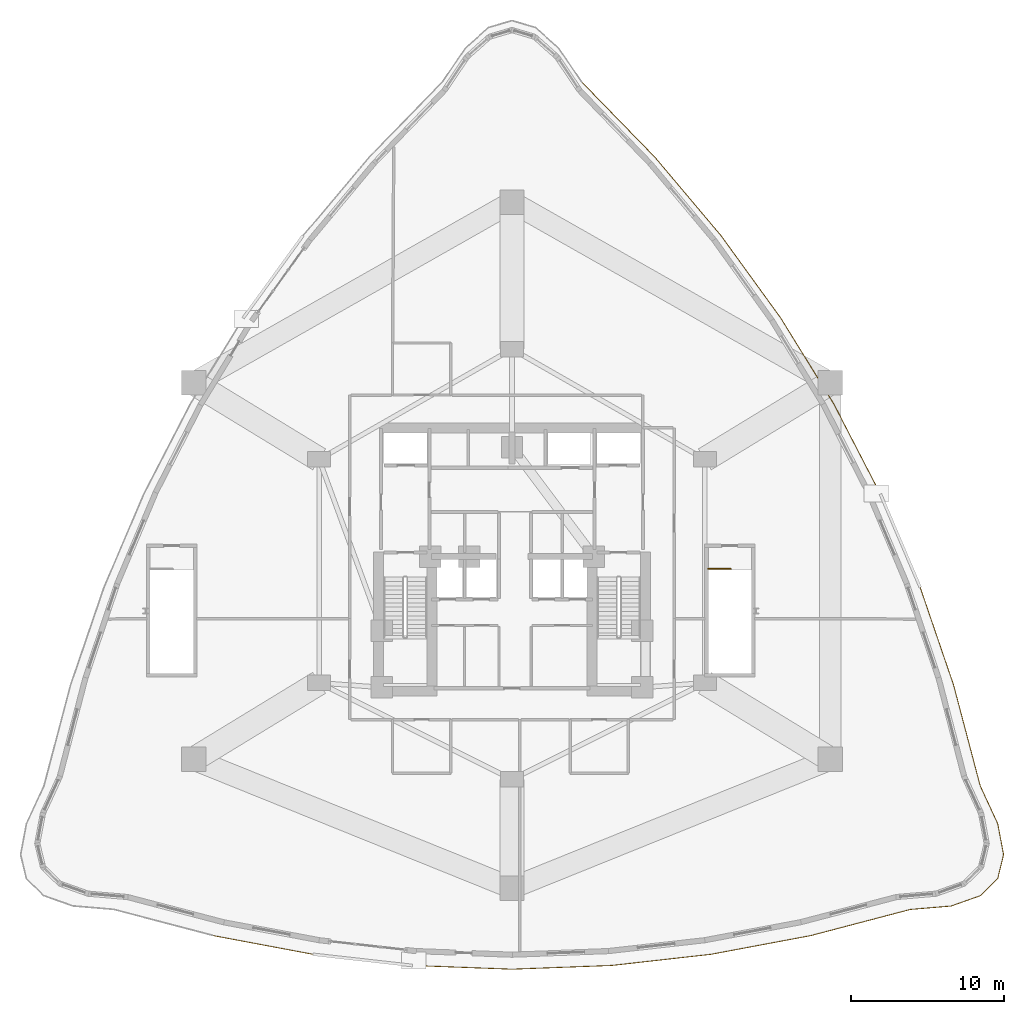
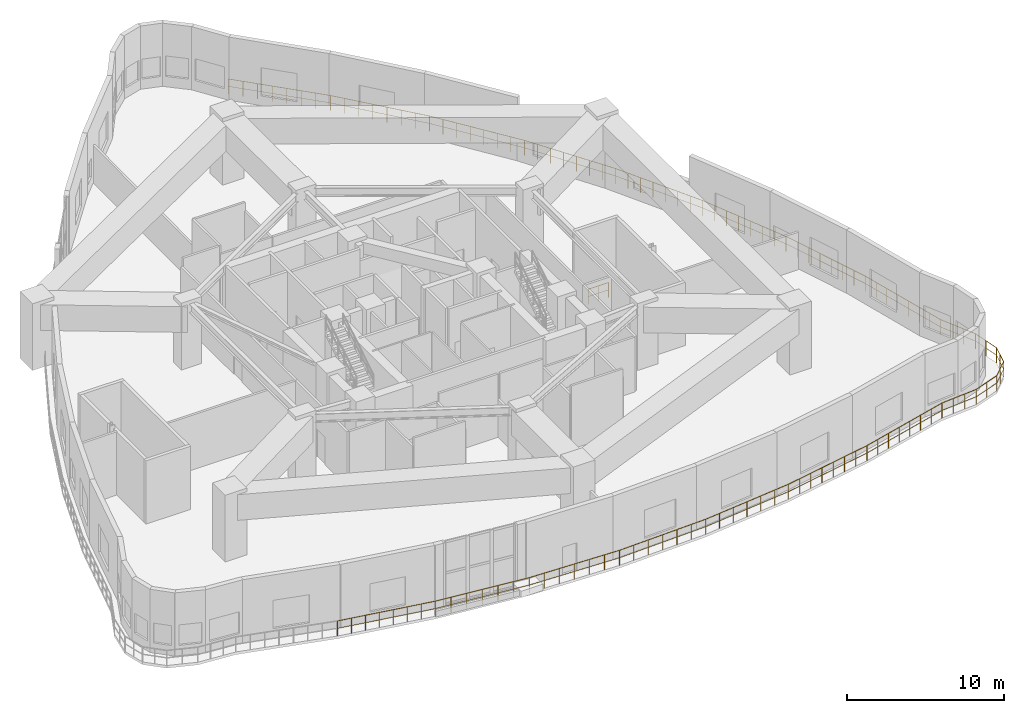
# One storey, part 19 of 19: 2 railings.
"""IFC4 building model written with IfcOpenShell, lengths in metres."""

from ifc_helpers import new_model, si_unit, direction, frame, origin, origin_2d, place, context, subcontext, project, spatial, circle, extrude, material, type_object, element, save


model = new_model("IFC4")

# Units and contexts
model_context = context("Model", 3, precision=1e-05, world=origin(), true_north=direction((0.0, 1.0)))
body_context = subcontext(model_context, "Body", "Model", "MODEL_VIEW")
ifc_project = project(units=[si_unit("LENGTHUNIT", "METRE"), si_unit("AREAUNIT", "SQUARE_METRE"), si_unit("VOLUMEUNIT", "CUBIC_METRE"), si_unit("PLANEANGLEUNIT", "RADIAN"), si_unit("MASSUNIT", "GRAM", prefix="KILO")], contexts=[model_context])

# Site, building, storey
site_placement = place(None, origin())
site = spatial("IfcSite", under=ifc_project, at=site_placement, CompositionType="ELEMENT")
building_placement = place(site_placement, origin())
building = spatial("IfcBuilding", under=site, at=building_placement, Name="Miruveldt Soraemaru", CompositionType="ELEMENT")
storey_placement = place(building_placement, frame((0.0, 0.0, 24.0)))
storey = spatial("IfcBuildingStorey", under=building, at=storey_placement, Name="L06", CompositionType="ELEMENT", Elevation=24.0)

# Railings
ifc_material_1 = material(Name="Anodised aluminium EN AW-6063 T6", Category="aluminium")
railing_type_1 = type_object("IfcRailingType", Name="RAIL-GUARD-1200", PredefinedType="GUARDRAIL", material=ifc_material_1)
railing_1_placement = place(storey_placement, frame((24.48583984375, 19.28662109375, 0.0)))
element("IfcRailing", 1, at=railing_1_placement, inside=storey, type_object=railing_type_1, Name="L06 Planted Terrace Perimeter Guardrail (B)", PredefinedType="GUARDRAIL", context=body_context, shape_type="SweptSolid", body=[
    extrude(circle(Radius=0.02392578125, at=origin_2d()), frame((0.0, 0.0, 1.17578125), z_axis=(0.982869263425, -0.184304126415, 0.0), x_axis=(0.184304126415, 0.982869263425, 0.0)), (0.0, 0.0, 1.0), 6.617919921875),
    extrude(circle(Radius=0.01611328125, at=origin_2d()), frame((0.0, 0.0, 0.60009765625), z_axis=(0.982869263425, -0.184304126415, 0.0), x_axis=(0.184304126415, 0.982869263425, 0.0)), (0.0, 0.0, 1.0), 6.617919921875),
    extrude(circle(Radius=0.02392578125, at=origin_2d()), frame((6.504638671875, -1.2197265625, 1.17578125), z_axis=(0.993733180568, -0.1117781993, 0.0), x_axis=(0.1117781993, 0.993733180568, 0.0)), (0.0, 0.0, 1.0), 6.5458984375),
    extrude(circle(Radius=0.01611328125, at=origin_2d()), frame((6.504638671875, -1.2197265625, 0.60009765625), z_axis=(0.993733180568, -0.1117781993, 0.0), x_axis=(0.1117781993, 0.993733180568, 0.0)), (0.0, 0.0, 1.0), 6.5458984375),
    extrude(circle(Radius=0.02392578125, at=origin_2d()), frame((13.009521484375, -1.951416015625, 1.17578125), z_axis=(0.999297773711, -0.037469446982, 0.0), x_axis=(0.037469446982, 0.999297773711, 0.0)), (0.0, 0.0, 1.0), 6.50927734375),
    extrude(circle(Radius=0.01611328125, at=origin_2d()), frame((13.009521484375, -1.951416015625, 0.60009765625), z_axis=(0.999297773711, -0.037469446982, 0.0), x_axis=(0.037469446982, 0.999297773711, 0.0)), (0.0, 0.0, 1.0), 6.50927734375),
    extrude(circle(Radius=0.02392578125, at=origin_2d()), frame((19.51416015625, -2.1953125, 1.17578125), z_axis=(0.999297773711, 0.037469446982, 0.0), x_axis=(-0.037469446982, 0.999297773711, 0.0)), (0.0, 0.0, 1.0), 6.50927734375),
    extrude(circle(Radius=0.01611328125, at=origin_2d()), frame((19.51416015625, -2.1953125, 0.60009765625), z_axis=(0.999297773711, 0.037469446982, 0.0), x_axis=(-0.037469446982, 0.999297773711, 0.0)), (0.0, 0.0, 1.0), 6.50927734375),
    extrude(circle(Radius=0.02392578125, at=origin_2d()), frame((26.018798828125, -1.951416015625, 1.17578125), z_axis=(0.993733180568, 0.1117781993, 0.0), x_axis=(-0.1117781993, 0.993733180568, 0.0)), (0.0, 0.0, 1.0), 6.5458984375),
    extrude(circle(Radius=0.01611328125, at=origin_2d()), frame((26.018798828125, -1.951416015625, 0.60009765625), z_axis=(0.993733180568, 0.1117781993, 0.0), x_axis=(-0.1117781993, 0.993733180568, 0.0)), (0.0, 0.0, 1.0), 6.5458984375),
    extrude(circle(Radius=0.02392578125, at=origin_2d()), frame((32.523681640625, -1.2197265625, 1.17578125), z_axis=(0.982869263425, 0.184304126415, 0.0), x_axis=(-0.184304126415, 0.982869263425, 0.0)), (0.0, 0.0, 1.0), 6.617919921875),
    extrude(circle(Radius=0.01611328125, at=origin_2d()), frame((32.523681640625, -1.2197265625, 0.60009765625), z_axis=(0.982869263425, 0.184304126415, 0.0), x_axis=(-0.184304126415, 0.982869263425, 0.0)), (0.0, 0.0, 1.0), 6.617919921875),
    extrude(circle(Radius=0.02392578125, at=origin_2d()), frame((39.0283203125, 0.0, 1.17578125), z_axis=(0.967237985872, 0.253871382172, 0.0), x_axis=(-0.253871382172, 0.967237985872, 0.0)), (0.0, 0.0, 1.0), 6.724853515625),
    extrude(circle(Radius=0.01611328125, at=origin_2d()), frame((39.0283203125, 0.0, 0.60009765625), z_axis=(0.967237985872, 0.253871382172, 0.0), x_axis=(-0.253871382172, 0.967237985872, 0.0)), (0.0, 0.0, 1.0), 6.724853515625),
    extrude(circle(Radius=0.02392578125, at=origin_2d()), frame((45.532958984375, 1.707275390625, 1.17578125), z_axis=(0.996478740242, 0.083845812331, 0.0), x_axis=(-0.083845812331, 0.996478740242, 0.0)), (0.0, 0.0, 1.0), 2.676025390625),
    extrude(circle(Radius=0.01611328125, at=origin_2d()), frame((45.532958984375, 1.707275390625, 0.60009765625), z_axis=(0.996478740242, 0.083845812331, 0.0), x_axis=(-0.083845812331, 0.996478740242, 0.0)), (0.0, 0.0, 1.0), 2.676025390625),
    extrude(circle(Radius=0.02392578125, at=origin_2d()), frame((48.199462890625, 1.931640625, 1.17578125), z_axis=(0.942836254671, 0.333256353093, 0.0), x_axis=(-0.333256353093, 0.942836254671, 0.0)), (0.0, 0.0, 1.0), 2.019775390625),
    extrude(circle(Radius=0.01611328125, at=origin_2d()), frame((48.199462890625, 1.931640625, 0.60009765625), z_axis=(0.942836254671, 0.333256353093, 0.0), x_axis=(-0.333256353093, 0.942836254671, 0.0)), (0.0, 0.0, 1.0), 2.019775390625),
    extrude(circle(Radius=0.02392578125, at=origin_2d()), frame((50.103759765625, 2.604736328125, 1.17578125), z_axis=(0.713784308728, 0.700365590683, 0.0), x_axis=(-0.700365590683, 0.713784308728, 0.0)), (0.0, 0.0, 1.0), 1.60107421875),
    extrude(circle(Radius=0.01611328125, at=origin_2d()), frame((50.103759765625, 2.604736328125, 0.60009765625), z_axis=(0.713784308728, 0.700365590683, 0.0), x_axis=(-0.700365590683, 0.713784308728, 0.0)), (0.0, 0.0, 1.0), 1.60107421875),
    extrude(circle(Radius=0.02392578125, at=origin_2d()), frame((51.24658203125, 3.72607421875, 1.17578125), z_axis=(0.235703810064, 0.971824939956, 0.0), x_axis=(-0.971824939956, 0.235703810064, 0.0)), (0.0, 0.0, 1.0), 1.61572265625),
    extrude(circle(Radius=0.01611328125, at=origin_2d()), frame((51.24658203125, 3.72607421875, 0.60009765625), z_axis=(0.235703810064, 0.971824939956, 0.0), x_axis=(-0.971824939956, 0.235703810064, 0.0)), (0.0, 0.0, 1.0), 1.61572265625),
    extrude(circle(Radius=0.02392578125, at=origin_2d()), frame((51.62744140625, 5.29638671875, 1.17578125), z_axis=(-0.185386207803, 0.98266573867, 0.0), x_axis=(-0.98266573867, -0.185386207803, 0.0)), (0.0, 0.0, 1.0), 2.054443359375),
    extrude(circle(Radius=0.01611328125, at=origin_2d()), frame((51.62744140625, 5.29638671875, 0.60009765625), z_axis=(-0.185386207803, 0.98266573867, 0.0), x_axis=(-0.98266573867, -0.185386207803, 0.0)), (0.0, 0.0, 1.0), 2.054443359375),
    extrude(circle(Radius=0.02392578125, at=origin_2d()), frame((51.24658203125, 7.315185546875, 1.17578125), z_axis=(-0.420259107806, 0.907404144968, 0.0), x_axis=(-0.907404144968, -0.420259107806, 0.0)), (0.0, 0.0, 1.0), 2.71923828125),
    extrude(circle(Radius=0.01611328125, at=origin_2d()), frame((51.24658203125, 7.315185546875, 0.60009765625), z_axis=(-0.420259107806, 0.907404144968, 0.0), x_axis=(-0.907404144968, -0.420259107806, 0.0)), (0.0, 0.0, 1.0), 2.71923828125),
    extrude(circle(Radius=0.02392578125, at=origin_2d()), frame((50.103759765625, 9.78271484375, 1.17578125), z_axis=(-0.255473757723, 0.966815990308, 0.0), x_axis=(-0.966815990308, -0.255473757723, 0.0)), (0.0, 0.0, 1.0), 6.826171875),
    extrude(circle(Radius=0.01611328125, at=origin_2d()), frame((50.103759765625, 9.78271484375, 0.60009765625), z_axis=(-0.255473757723, 0.966815990308, 0.0), x_axis=(-0.966815990308, -0.255473757723, 0.0)), (0.0, 0.0, 1.0), 6.826171875),
    extrude(circle(Radius=0.02392578125, at=origin_2d()), frame((48.35986328125, 16.38232421875, 1.17578125), z_axis=(-0.323784428195, 0.946130881041, 0.0), x_axis=(-0.946130881041, -0.323784428195, 0.0)), (0.0, 0.0, 1.0), 6.717529296875),
    extrude(circle(Radius=0.01611328125, at=origin_2d()), frame((48.35986328125, 16.38232421875, 0.60009765625), z_axis=(-0.323784428195, 0.946130881041, 0.0), x_axis=(-0.946130881041, -0.323784428195, 0.0)), (0.0, 0.0, 1.0), 6.717529296875),
    extrude(circle(Radius=0.02392578125, at=origin_2d()), frame((46.184814453125, 22.738037109375, 1.17578125), z_axis=(-0.392215683732, 0.919873283357, 0.0), x_axis=(-0.919873283357, -0.392215683732, 0.0)), (0.0, 0.0, 1.0), 6.644287109375),
    extrude(circle(Radius=0.01611328125, at=origin_2d()), frame((46.184814453125, 22.738037109375, 0.60009765625), z_axis=(-0.392215683732, 0.919873283357, 0.0), x_axis=(-0.919873283357, -0.392215683732, 0.0)), (0.0, 0.0, 1.0), 6.644287109375),
    extrude(circle(Radius=0.02392578125, at=origin_2d()), frame((43.578857421875, 28.849853515625, 1.17578125), z_axis=(-0.459629982927, 0.888110510463, 0.0), x_axis=(-0.888110510463, -0.459629982927, 0.0)), (0.0, 0.0, 1.0), 6.607177734375),
    extrude(circle(Radius=0.01611328125, at=origin_2d()), frame((43.578857421875, 28.849853515625, 0.60009765625), z_axis=(-0.459629982927, 0.888110510463, 0.0), x_axis=(-0.888110510463, -0.459629982927, 0.0)), (0.0, 0.0, 1.0), 6.607177734375),
    extrude(circle(Radius=0.02392578125, at=origin_2d()), frame((40.5419921875, 34.7177734375, 1.17578125), z_axis=(-0.524847654322, 0.851196181707, 0.0), x_axis=(-0.851196181707, -0.524847654322, 0.0)), (0.0, 0.0, 1.0), 6.607177734375),
    extrude(circle(Radius=0.01611328125, at=origin_2d()), frame((40.5419921875, 34.7177734375, 0.60009765625), z_axis=(-0.524847654322, 0.851196181707, 0.0), x_axis=(-0.851196181707, -0.524847654322, 0.0)), (0.0, 0.0, 1.0), 6.607177734375),
    extrude(circle(Radius=0.02392578125, at=origin_2d()), frame((37.07421875, 40.341796875, 1.17578125), z_axis=(-0.58679654881, 0.809734407263, 0.0), x_axis=(-0.809734407263, -0.58679654881, 0.0)), (0.0, 0.0, 1.0), 6.64404296875),
    extrude(circle(Radius=0.01611328125, at=origin_2d()), frame((37.07421875, 40.341796875, 0.60009765625), z_axis=(-0.58679654881, 0.809734407263, 0.0), x_axis=(-0.809734407263, -0.58679654881, 0.0)), (0.0, 0.0, 1.0), 6.64404296875),
    extrude(circle(Radius=0.02392578125, at=origin_2d()), frame((33.175537109375, 45.7216796875, 1.17578125), z_axis=(-0.644535190398, 0.764574645367, 0.0), x_axis=(-0.764574645367, -0.644535190398, 0.0)), (0.0, 0.0, 1.0), 6.7177734375),
    extrude(circle(Radius=0.01611328125, at=origin_2d()), frame((33.175537109375, 45.7216796875, 0.60009765625), z_axis=(-0.644535190398, 0.764574645367, 0.0), x_axis=(-0.764574645367, -0.644535190398, 0.0)), (0.0, 0.0, 1.0), 6.7177734375),
    extrude(circle(Radius=0.02392578125, at=origin_2d()), frame((28.845703125, 50.85791015625, 1.17578125), z_axis=(-0.697396007079, 0.716685990731, 0.0), x_axis=(-0.716685990731, -0.697396007079, 0.0)), (0.0, 0.0, 1.0), 6.771240234375),
    extrude(circle(Radius=0.01611328125, at=origin_2d()), frame((28.845703125, 50.85791015625, 0.60009765625), z_axis=(-0.697396007079, 0.716685990731, 0.0), x_axis=(-0.716685990731, -0.697396007079, 0.0)), (0.0, 0.0, 1.0), 6.771240234375),
    extrude(circle(Radius=0.02099609375, at=origin_2d()), origin(), (0.0, 0.0, 1.0), 1.15185546875),
    extrude(circle(Radius=0.02099609375, at=origin_2d()), frame((0.92919921875, -0.17431640625, 0.0)), (0.0, 0.0, 1.0), 1.15185546875),
    extrude(circle(Radius=0.02099609375, at=origin_2d()), frame((1.8583984375, -0.348388671875, 0.0)), (0.0, 0.0, 1.0), 1.15185546875),
    extrude(circle(Radius=0.02099609375, at=origin_2d()), frame((2.78759765625, -0.522705078125, 0.0)), (0.0, 0.0, 1.0), 1.15185546875),
    extrude(circle(Radius=0.02099609375, at=origin_2d()), frame((3.717041015625, -0.697021484375, 0.0)), (0.0, 0.0, 1.0), 1.15185546875),
    extrude(circle(Radius=0.02099609375, at=origin_2d()), frame((4.646240234375, -0.871337890625, 0.0)), (0.0, 0.0, 1.0), 1.15185546875),
    extrude(circle(Radius=0.02099609375, at=origin_2d()), frame((5.575439453125, -1.04541015625, 0.0)), (0.0, 0.0, 1.0), 1.15185546875),
    extrude(circle(Radius=0.02099609375, at=origin_2d()), frame((6.504638671875, -1.2197265625, 0.0)), (0.0, 0.0, 1.0), 1.15185546875),
    extrude(circle(Radius=0.02099609375, at=origin_2d()), frame((7.5888671875, -1.341796875, 0.0)), (0.0, 0.0, 1.0), 1.15185546875),
    extrude(circle(Radius=0.02099609375, at=origin_2d()), frame((8.6728515625, -1.463623046875, 0.0)), (0.0, 0.0, 1.0), 1.15185546875),
    extrude(circle(Radius=0.02099609375, at=origin_2d()), frame((9.757080078125, -1.58544921875, 0.0)), (0.0, 0.0, 1.0), 1.15185546875),
    extrude(circle(Radius=0.02099609375, at=origin_2d()), frame((10.84130859375, -1.70751953125, 0.0)), (0.0, 0.0, 1.0), 1.15185546875),
    extrude(circle(Radius=0.02099609375, at=origin_2d()), frame((11.92529296875, -1.82958984375, 0.0)), (0.0, 0.0, 1.0), 1.15185546875),
    extrude(circle(Radius=0.02099609375, at=origin_2d()), frame((13.009521484375, -1.951416015625, 0.0)), (0.0, 0.0, 1.0), 1.15185546875),
    extrude(circle(Radius=0.02099609375, at=origin_2d()), frame((14.09375, -1.9921875, 0.0)), (0.0, 0.0, 1.0), 1.15185546875),
    extrude(circle(Radius=0.02099609375, at=origin_2d()), frame((15.177734375, -2.03271484375, 0.0)), (0.0, 0.0, 1.0), 1.15185546875),
    extrude(circle(Radius=0.02099609375, at=origin_2d()), frame((16.26171875, -2.0732421875, 0.0)), (0.0, 0.0, 1.0), 1.15185546875),
    extrude(circle(Radius=0.02099609375, at=origin_2d()), frame((17.345947265625, -2.114013671875, 0.0)), (0.0, 0.0, 1.0), 1.15185546875),
    extrude(circle(Radius=0.02099609375, at=origin_2d()), frame((18.43017578125, -2.15478515625, 0.0)), (0.0, 0.0, 1.0), 1.15185546875),
    extrude(circle(Radius=0.02099609375, at=origin_2d()), frame((19.51416015625, -2.1953125, 0.0)), (0.0, 0.0, 1.0), 1.15185546875),
    extrude(circle(Radius=0.02099609375, at=origin_2d()), frame((20.59814453125, -2.15478515625, 0.0)), (0.0, 0.0, 1.0), 1.15185546875),
    extrude(circle(Radius=0.02099609375, at=origin_2d()), frame((21.682373046875, -2.114013671875, 0.0)), (0.0, 0.0, 1.0), 1.15185546875),
    extrude(circle(Radius=0.02099609375, at=origin_2d()), frame((22.7666015625, -2.0732421875, 0.0)), (0.0, 0.0, 1.0), 1.15185546875),
    extrude(circle(Radius=0.02099609375, at=origin_2d()), frame((23.8505859375, -2.03271484375, 0.0)), (0.0, 0.0, 1.0), 1.15185546875),
    extrude(circle(Radius=0.02099609375, at=origin_2d()), frame((24.9345703125, -1.9921875, 0.0)), (0.0, 0.0, 1.0), 1.15185546875),
    extrude(circle(Radius=0.02099609375, at=origin_2d()), frame((26.018798828125, -1.951416015625, 0.0)), (0.0, 0.0, 1.0), 1.15185546875),
    extrude(circle(Radius=0.02099609375, at=origin_2d()), frame((27.10302734375, -1.82958984375, 0.0)), (0.0, 0.0, 1.0), 1.15185546875),
    extrude(circle(Radius=0.02099609375, at=origin_2d()), frame((28.18701171875, -1.70751953125, 0.0)), (0.0, 0.0, 1.0), 1.15185546875),
    extrude(circle(Radius=0.02099609375, at=origin_2d()), frame((29.271240234375, -1.58544921875, 0.0)), (0.0, 0.0, 1.0), 1.15185546875),
    extrude(circle(Radius=0.02099609375, at=origin_2d()), frame((30.35546875, -1.463623046875, 0.0)), (0.0, 0.0, 1.0), 1.15185546875),
    extrude(circle(Radius=0.02099609375, at=origin_2d()), frame((31.439453125, -1.341796875, 0.0)), (0.0, 0.0, 1.0), 1.15185546875),
    extrude(circle(Radius=0.02099609375, at=origin_2d()), frame((32.523681640625, -1.2197265625, 0.0)), (0.0, 0.0, 1.0), 1.15185546875),
    extrude(circle(Radius=0.02099609375, at=origin_2d()), frame((33.452880859375, -1.04541015625, 0.0)), (0.0, 0.0, 1.0), 1.15185546875),
    extrude(circle(Radius=0.02099609375, at=origin_2d()), frame((34.382080078125, -0.871337890625, 0.0)), (0.0, 0.0, 1.0), 1.15185546875),
    extrude(circle(Radius=0.02099609375, at=origin_2d()), frame((35.311279296875, -0.697021484375, 0.0)), (0.0, 0.0, 1.0), 1.15185546875),
    extrude(circle(Radius=0.02099609375, at=origin_2d()), frame((36.24072265625, -0.522705078125, 0.0)), (0.0, 0.0, 1.0), 1.15185546875),
    extrude(circle(Radius=0.02099609375, at=origin_2d()), frame((37.169921875, -0.348388671875, 0.0)), (0.0, 0.0, 1.0), 1.15185546875),
    extrude(circle(Radius=0.02099609375, at=origin_2d()), frame((38.09912109375, -0.17431640625, 0.0)), (0.0, 0.0, 1.0), 1.15185546875),
    extrude(circle(Radius=0.02099609375, at=origin_2d()), frame((39.0283203125, 0.0, 0.0)), (0.0, 0.0, 1.0), 1.15185546875),
    extrude(circle(Radius=0.02099609375, at=origin_2d()), frame((39.95751953125, 0.243896484375, 0.0)), (0.0, 0.0, 1.0), 1.15185546875),
    extrude(circle(Radius=0.02099609375, at=origin_2d()), frame((40.88671875, 0.48779296875, 0.0)), (0.0, 0.0, 1.0), 1.15185546875),
    extrude(circle(Radius=0.02099609375, at=origin_2d()), frame((41.81591796875, 0.731689453125, 0.0)), (0.0, 0.0, 1.0), 1.15185546875),
    extrude(circle(Radius=0.02099609375, at=origin_2d()), frame((42.745361328125, 0.9755859375, 0.0)), (0.0, 0.0, 1.0), 1.15185546875),
    extrude(circle(Radius=0.02099609375, at=origin_2d()), frame((43.674560546875, 1.219482421875, 0.0)), (0.0, 0.0, 1.0), 1.15185546875),
    extrude(circle(Radius=0.02099609375, at=origin_2d()), frame((44.603759765625, 1.46337890625, 0.0)), (0.0, 0.0, 1.0), 1.15185546875),
    extrude(circle(Radius=0.02099609375, at=origin_2d()), frame((45.532958984375, 1.707275390625, 0.0)), (0.0, 0.0, 1.0), 1.15185546875),
    extrude(circle(Radius=0.02099609375, at=origin_2d()), frame((46.421875, 1.781982421875, 0.0)), (0.0, 0.0, 1.0), 1.15185546875),
    extrude(circle(Radius=0.02099609375, at=origin_2d()), frame((47.310546875, 1.85693359375, 0.0)), (0.0, 0.0, 1.0), 1.15185546875),
    extrude(circle(Radius=0.02099609375, at=origin_2d()), frame((48.199462890625, 1.931640625, 0.0)), (0.0, 0.0, 1.0), 1.15185546875),
    extrude(circle(Radius=0.02099609375, at=origin_2d()), frame((49.151611328125, 2.26806640625, 0.0)), (0.0, 0.0, 1.0), 1.15185546875),
    extrude(circle(Radius=0.02099609375, at=origin_2d()), frame((50.103759765625, 2.604736328125, 0.0)), (0.0, 0.0, 1.0), 1.15185546875),
    extrude(circle(Radius=0.02099609375, at=origin_2d()), frame((50.67529296875, 3.16552734375, 0.0)), (0.0, 0.0, 1.0), 1.15185546875),
    extrude(circle(Radius=0.02099609375, at=origin_2d()), frame((51.24658203125, 3.72607421875, 0.0)), (0.0, 0.0, 1.0), 1.15185546875),
    extrude(circle(Radius=0.02099609375, at=origin_2d()), frame((51.43701171875, 4.51123046875, 0.0)), (0.0, 0.0, 1.0), 1.15185546875),
    extrude(circle(Radius=0.02099609375, at=origin_2d()), frame((51.62744140625, 5.29638671875, 0.0)), (0.0, 0.0, 1.0), 1.15185546875),
    extrude(circle(Radius=0.02099609375, at=origin_2d()), frame((51.43701171875, 6.3056640625, 0.0)), (0.0, 0.0, 1.0), 1.15185546875),
    extrude(circle(Radius=0.02099609375, at=origin_2d()), frame((51.24658203125, 7.315185546875, 0.0)), (0.0, 0.0, 1.0), 1.15185546875),
    extrude(circle(Radius=0.02099609375, at=origin_2d()), frame((50.86572265625, 8.1376953125, 0.0)), (0.0, 0.0, 1.0), 1.15185546875),
    extrude(circle(Radius=0.02099609375, at=origin_2d()), frame((50.484619140625, 8.960205078125, 0.0)), (0.0, 0.0, 1.0), 1.15185546875),
    extrude(circle(Radius=0.02099609375, at=origin_2d()), frame((50.103759765625, 9.78271484375, 0.0)), (0.0, 0.0, 1.0), 1.15185546875),
    extrude(circle(Radius=0.02099609375, at=origin_2d()), frame((49.854736328125, 10.7255859375, 0.0)), (0.0, 0.0, 1.0), 1.15185546875),
    extrude(circle(Radius=0.02099609375, at=origin_2d()), frame((49.60546875, 11.668212890625, 0.0)), (0.0, 0.0, 1.0), 1.15185546875),
    extrude(circle(Radius=0.02099609375, at=origin_2d()), frame((49.3564453125, 12.611083984375, 0.0)), (0.0, 0.0, 1.0), 1.15185546875),
    extrude(circle(Radius=0.02099609375, at=origin_2d()), frame((49.107177734375, 13.553955078125, 0.0)), (0.0, 0.0, 1.0), 1.15185546875),
    extrude(circle(Radius=0.02099609375, at=origin_2d()), frame((48.858154296875, 14.496826171875, 0.0)), (0.0, 0.0, 1.0), 1.15185546875),
    extrude(circle(Radius=0.02099609375, at=origin_2d()), frame((48.60888671875, 15.439453125, 0.0)), (0.0, 0.0, 1.0), 1.15185546875),
    extrude(circle(Radius=0.02099609375, at=origin_2d()), frame((48.35986328125, 16.38232421875, 0.0)), (0.0, 0.0, 1.0), 1.15185546875),
    extrude(circle(Radius=0.02099609375, at=origin_2d()), frame((48.049072265625, 17.290283203125, 0.0)), (0.0, 0.0, 1.0), 1.15185546875),
    extrude(circle(Radius=0.02099609375, at=origin_2d()), frame((47.738525390625, 18.1982421875, 0.0)), (0.0, 0.0, 1.0), 1.15185546875),
    extrude(circle(Radius=0.02099609375, at=origin_2d()), frame((47.427734375, 19.106201171875, 0.0)), (0.0, 0.0, 1.0), 1.15185546875),
    extrude(circle(Radius=0.02099609375, at=origin_2d()), frame((47.116943359375, 20.01416015625, 0.0)), (0.0, 0.0, 1.0), 1.15185546875),
    extrude(circle(Radius=0.02099609375, at=origin_2d()), frame((46.80615234375, 20.922119140625, 0.0)), (0.0, 0.0, 1.0), 1.15185546875),
    extrude(circle(Radius=0.02099609375, at=origin_2d()), frame((46.49560546875, 21.830078125, 0.0)), (0.0, 0.0, 1.0), 1.15185546875),
    extrude(circle(Radius=0.02099609375, at=origin_2d()), frame((46.184814453125, 22.738037109375, 0.0)), (0.0, 0.0, 1.0), 1.15185546875),
    extrude(circle(Radius=0.02099609375, at=origin_2d()), frame((45.8125, 23.611083984375, 0.0)), (0.0, 0.0, 1.0), 1.15185546875),
    extrude(circle(Radius=0.02099609375, at=origin_2d()), frame((45.440185546875, 24.484375, 0.0)), (0.0, 0.0, 1.0), 1.15185546875),
    extrude(circle(Radius=0.02099609375, at=origin_2d()), frame((45.06787109375, 25.357421875, 0.0)), (0.0, 0.0, 1.0), 1.15185546875),
    extrude(circle(Radius=0.02099609375, at=origin_2d()), frame((44.69580078125, 26.23046875, 0.0)), (0.0, 0.0, 1.0), 1.15185546875),
    extrude(circle(Radius=0.02099609375, at=origin_2d()), frame((44.323486328125, 27.103515625, 0.0)), (0.0, 0.0, 1.0), 1.15185546875),
    extrude(circle(Radius=0.02099609375, at=origin_2d()), frame((43.951171875, 27.976806640625, 0.0)), (0.0, 0.0, 1.0), 1.15185546875),
    extrude(circle(Radius=0.02099609375, at=origin_2d()), frame((43.578857421875, 28.849853515625, 0.0)), (0.0, 0.0, 1.0), 1.15185546875),
    extrude(circle(Radius=0.02099609375, at=origin_2d()), frame((43.14501953125, 29.688232421875, 0.0)), (0.0, 0.0, 1.0), 1.15185546875),
    extrude(circle(Radius=0.02099609375, at=origin_2d()), frame((42.711181640625, 30.5263671875, 0.0)), (0.0, 0.0, 1.0), 1.15185546875),
    extrude(circle(Radius=0.02099609375, at=origin_2d()), frame((42.27734375, 31.36474609375, 0.0)), (0.0, 0.0, 1.0), 1.15185546875),
    extrude(circle(Radius=0.02099609375, at=origin_2d()), frame((41.843505859375, 32.202880859375, 0.0)), (0.0, 0.0, 1.0), 1.15185546875),
    extrude(circle(Radius=0.02099609375, at=origin_2d()), frame((41.40966796875, 33.041259765625, 0.0)), (0.0, 0.0, 1.0), 1.15185546875),
    extrude(circle(Radius=0.02099609375, at=origin_2d()), frame((40.975830078125, 33.87939453125, 0.0)), (0.0, 0.0, 1.0), 1.15185546875),
    extrude(circle(Radius=0.02099609375, at=origin_2d()), frame((40.5419921875, 34.7177734375, 0.0)), (0.0, 0.0, 1.0), 1.15185546875),
    extrude(circle(Radius=0.02099609375, at=origin_2d()), frame((40.046630859375, 35.521240234375, 0.0)), (0.0, 0.0, 1.0), 1.15185546875),
    extrude(circle(Radius=0.02099609375, at=origin_2d()), frame((39.55126953125, 36.32470703125, 0.0)), (0.0, 0.0, 1.0), 1.15185546875),
    extrude(circle(Radius=0.02099609375, at=origin_2d()), frame((39.055908203125, 37.128173828125, 0.0)), (0.0, 0.0, 1.0), 1.15185546875),
    extrude(circle(Radius=0.02099609375, at=origin_2d()), frame((38.560302734375, 37.931396484375, 0.0)), (0.0, 0.0, 1.0), 1.15185546875),
    extrude(circle(Radius=0.02099609375, at=origin_2d()), frame((38.06494140625, 38.73486328125, 0.0)), (0.0, 0.0, 1.0), 1.15185546875),
    extrude(circle(Radius=0.02099609375, at=origin_2d()), frame((37.569580078125, 39.538330078125, 0.0)), (0.0, 0.0, 1.0), 1.15185546875),
    extrude(circle(Radius=0.02099609375, at=origin_2d()), frame((37.07421875, 40.341796875, 0.0)), (0.0, 0.0, 1.0), 1.15185546875),
    extrude(circle(Radius=0.02099609375, at=origin_2d()), frame((36.517333984375, 41.1103515625, 0.0)), (0.0, 0.0, 1.0), 1.15185546875),
    extrude(circle(Radius=0.02099609375, at=origin_2d()), frame((35.960205078125, 41.87890625, 0.0)), (0.0, 0.0, 1.0), 1.15185546875),
    extrude(circle(Radius=0.02099609375, at=origin_2d()), frame((35.4033203125, 42.6474609375, 0.0)), (0.0, 0.0, 1.0), 1.15185546875),
    extrude(circle(Radius=0.02099609375, at=origin_2d()), frame((34.846435546875, 43.416015625, 0.0)), (0.0, 0.0, 1.0), 1.15185546875),
    extrude(circle(Radius=0.02099609375, at=origin_2d()), frame((34.28955078125, 44.1845703125, 0.0)), (0.0, 0.0, 1.0), 1.15185546875),
    extrude(circle(Radius=0.02099609375, at=origin_2d()), frame((33.732421875, 44.953125, 0.0)), (0.0, 0.0, 1.0), 1.15185546875),
    extrude(circle(Radius=0.02099609375, at=origin_2d()), frame((33.175537109375, 45.7216796875, 0.0)), (0.0, 0.0, 1.0), 1.15185546875),
    extrude(circle(Radius=0.02099609375, at=origin_2d()), frame((32.556884765625, 46.455322265625, 0.0)), (0.0, 0.0, 1.0), 1.15185546875),
    extrude(circle(Radius=0.02099609375, at=origin_2d()), frame((31.9384765625, 47.189208984375, 0.0)), (0.0, 0.0, 1.0), 1.15185546875),
    extrude(circle(Radius=0.02099609375, at=origin_2d()), frame((31.31982421875, 47.9228515625, 0.0)), (0.0, 0.0, 1.0), 1.15185546875),
    extrude(circle(Radius=0.02099609375, at=origin_2d()), frame((30.701416015625, 48.65673828125, 0.0)), (0.0, 0.0, 1.0), 1.15185546875),
    extrude(circle(Radius=0.02099609375, at=origin_2d()), frame((30.082763671875, 49.390380859375, 0.0)), (0.0, 0.0, 1.0), 1.15185546875),
    extrude(circle(Radius=0.02099609375, at=origin_2d()), frame((29.46435546875, 50.124267578125, 0.0)), (0.0, 0.0, 1.0), 1.15185546875),
    extrude(circle(Radius=0.02099609375, at=origin_2d()), frame((28.845703125, 50.85791015625, 0.0)), (0.0, 0.0, 1.0), 1.15185546875),
    extrude(circle(Radius=0.02099609375, at=origin_2d()), frame((28.171142578125, 51.55126953125, 0.0)), (0.0, 0.0, 1.0), 1.15185546875),
    extrude(circle(Radius=0.02099609375, at=origin_2d()), frame((27.49658203125, 52.244384765625, 0.0)), (0.0, 0.0, 1.0), 1.15185546875),
    extrude(circle(Radius=0.02099609375, at=origin_2d()), frame((26.822021484375, 52.937744140625, 0.0)), (0.0, 0.0, 1.0), 1.15185546875),
    extrude(circle(Radius=0.02099609375, at=origin_2d()), frame((26.147216796875, 53.630859375, 0.0)), (0.0, 0.0, 1.0), 1.15185546875),
    extrude(circle(Radius=0.02099609375, at=origin_2d()), frame((25.47265625, 54.32421875, 0.0)), (0.0, 0.0, 1.0), 1.15185546875),
    extrude(circle(Radius=0.02099609375, at=origin_2d()), frame((24.798095703125, 55.017333984375, 0.0)), (0.0, 0.0, 1.0), 1.15185546875),
    extrude(circle(Radius=0.02099609375, at=origin_2d()), frame((24.12353515625, 55.710693359375, 0.0)), (0.0, 0.0, 1.0), 1.15185546875),
])
ifc_material_2 = material(Name="Steel S355 (355 MPa)", Category="steel")
railing_type_2 = type_object("IfcRailingType", Name="RAIL-STGUARD-1200", PredefinedType="GUARDRAIL", material=ifc_material_2)
railing_2_placement = place(storey_placement, frame((56.800048828125, 43.25, 0.0)))
element("IfcRailing", 2, at=railing_2_placement, inside=storey, type_object=railing_type_2, Name="L06 ST-4 top well guard 1", PredefinedType="GUARDRAIL", context=body_context, shape_type="SweptSolid", body=[
    extrude(circle(Radius=0.02392578125, at=origin_2d()), frame((0.0, 0.0, 1.17578125), z_axis=(1.0, 0.0, 0.0), x_axis=(0.0, 1.0, 0.0)), (0.0, 0.0, 1.0), 1.5),
    extrude(circle(Radius=0.01611328125, at=origin_2d()), frame((0.0, 0.0, 0.60009765625), z_axis=(1.0, 0.0, 0.0), x_axis=(0.0, 1.0, 0.0)), (0.0, 0.0, 1.0), 1.5),
    extrude(circle(Radius=0.02099609375, at=origin_2d()), origin(), (0.0, 0.0, 1.0), 1.15185546875),
    extrude(circle(Radius=0.02099609375, at=origin_2d()), frame((0.75, 0.0, 0.0)), (0.0, 0.0, 1.0), 1.15185546875),
    extrude(circle(Radius=0.02099609375, at=origin_2d()), frame((1.5, 0.0, 0.0)), (0.0, 0.0, 1.0), 1.15185546875),
])

save(model, "model.ifc")
